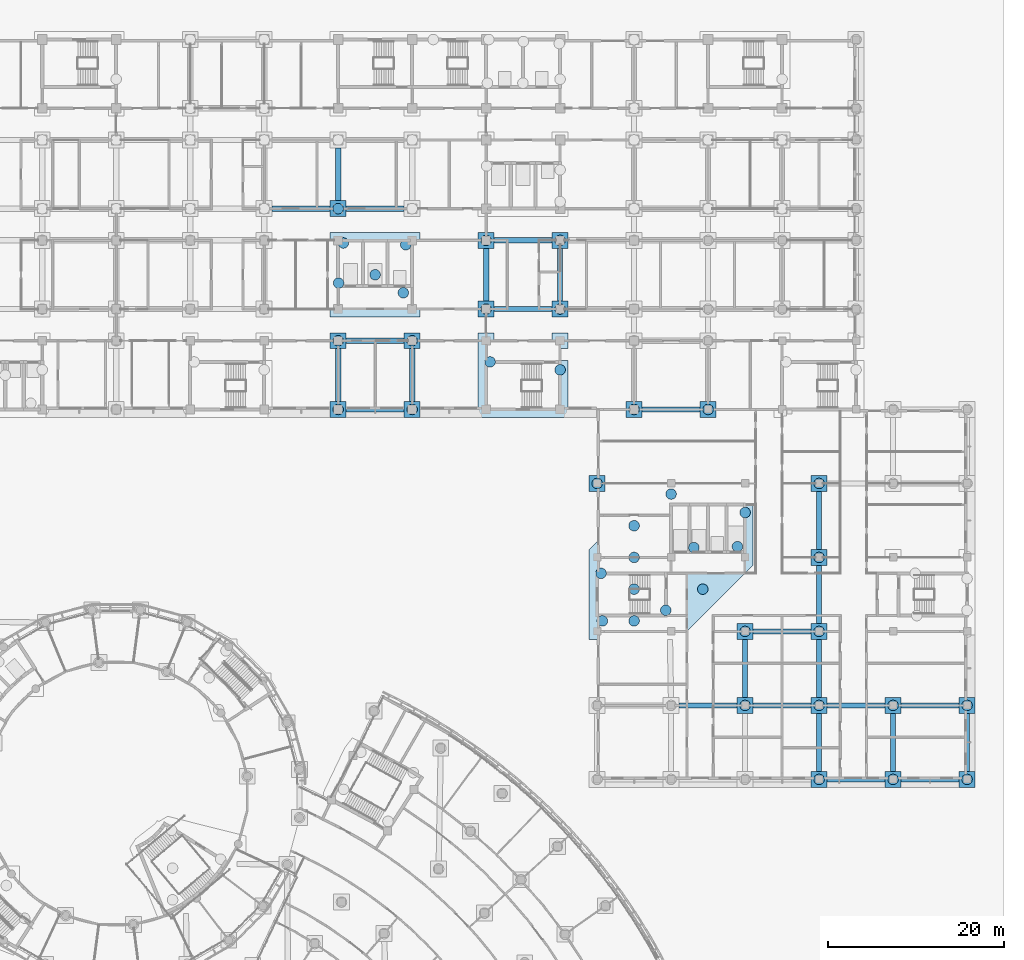
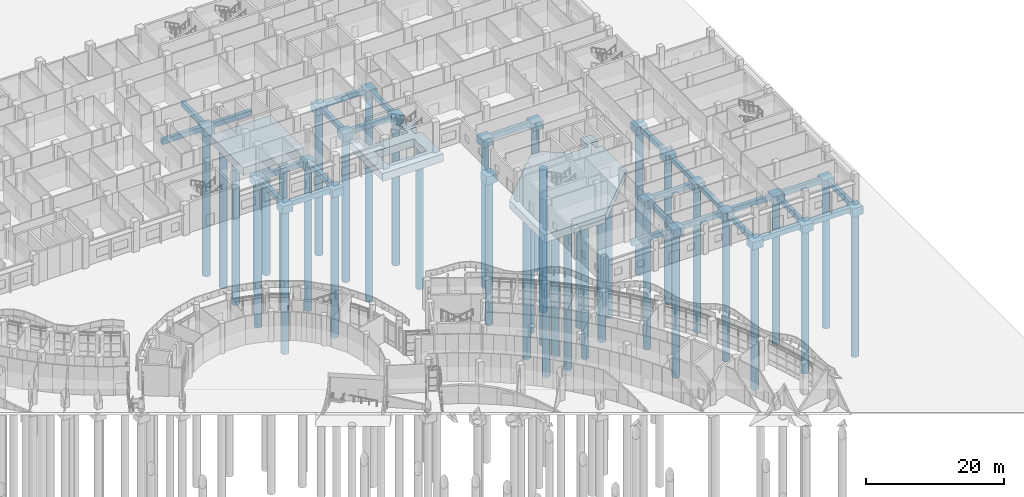
# One storey, part 8 of 146: 52 footings, 42 piles.
"""IFC4 building model written with IfcOpenShell, lengths in metres."""

import ifcopenshell
import ifcopenshell.guid

model = None  # the IFC model being written
_history = None  # IfcOwnerHistory: only IFC2X3 demands one
_inside = {}  # id of a spatial element -> (the spatial element, [elements in it])
_under = {}  # id of a project, library or spatial element -> (it, [spatial elements below it])
_declared = {}  # id of a project -> (the project, [libraries it declares])
_typed = {}  # id of a type object -> (the type object, [elements of that type])
_made_of = {}  # id of a material, layer set ... -> (it, [elements and type objects made of it])


def new_model(schema):
    """Start an empty IFC model of exactly this schema.

    Asked for "IFC4X3", IfcOpenShell would pick the latest addendum, in which some entities
    have other attributes; the version numbers below select the first issue.
    IFC2X3 requires an IfcOwnerHistory on every rooted entity: one is made here for all.
    """
    global model, _history
    if schema == "IFC4X3":
        model = ifcopenshell.file(schema_version=(4, 3, 0, 0))
    else:
        model = ifcopenshell.file(schema=schema)
    _inside.clear()
    _under.clear()
    _declared.clear()
    _typed.clear()
    _made_of.clear()
    _history = None
    if model.schema == "IFC2X3":
        org = make("IfcOrganization", Name="unknown")
        user = make(
            "IfcPersonAndOrganization",
            ThePerson=make("IfcPerson", FamilyName="unknown"),
            TheOrganization=org,
        )
        app = make(
            "IfcApplication",
            ApplicationDeveloper=org,
            Version="unknown",
            ApplicationFullName="unknown",
            ApplicationIdentifier="unknown",
        )
        _history = make(
            "IfcOwnerHistory",
            OwningUser=user,
            OwningApplication=app,
            ChangeAction="ADDED",
            CreationDate=0,
        )
    return model


def make(cls, **values):
    """One entity of the class cls with the attributes given. An attribute that is None is left unset."""
    return model.create_entity(
        cls, **{name: value for name, value in values.items() if value is not None}
    )


def rooted(cls, **values):
    """An entity with a GlobalId (a new one), such as an element, a storey or a relation."""
    return make(cls, GlobalId=ifcopenshell.guid.new(), OwnerHistory=_history, **values)


def si_unit(unit_type, name, prefix=None):
    """IfcSIUnit, for example si_unit("LENGTHUNIT", "METRE", prefix="MILLI")."""
    return make("IfcSIUnit", UnitType=unit_type, Prefix=prefix, Name=name)


def assignment(units):
    """IfcUnitAssignment: the units of a project."""
    return None if units is None else make("IfcUnitAssignment", Units=units)


def point(xyz):
    """IfcCartesianPoint."""
    return None if xyz is None else make("IfcCartesianPoint", Coordinates=xyz)


def direction(xyz):
    """IfcDirection."""
    return None if xyz is None else make("IfcDirection", DirectionRatios=xyz)


def frame(location, z_axis=None, x_axis=None):
    """IfcAxis2Placement3D, a coordinate frame: its origin and axes. An axis left out is left unset."""
    return make(
        "IfcAxis2Placement3D",
        Location=point(location),
        Axis=direction(z_axis),
        RefDirection=direction(x_axis),
    )


def frame_2d(location, x_axis=None):
    """IfcAxis2Placement2D, a coordinate frame in the plane: its origin and x axis."""
    return make(
        "IfcAxis2Placement2D", Location=point(location), RefDirection=direction(x_axis)
    )


def origin():
    """The frame at (0, 0, 0) with its axes left unset."""
    return frame((0.0, 0.0, 0.0))


def origin_2d():
    """The frame at (0, 0) in the plane with its x axis left unset."""
    return frame_2d((0.0, 0.0))


def place(relative_to, where):
    """IfcLocalPlacement: puts the frame where relative to a parent placement (None: the world)."""
    return make(
        "IfcLocalPlacement", PlacementRelTo=relative_to, RelativePlacement=where
    )


def context(
    kind, dimensions, precision=None, world=None, true_north=None, identifier=None
):
    """IfcGeometricRepresentationContext, for example the 3D "Model" context."""
    return make(
        "IfcGeometricRepresentationContext",
        ContextIdentifier=identifier,
        ContextType=kind,
        CoordinateSpaceDimension=dimensions,
        Precision=precision,
        WorldCoordinateSystem=world,
        TrueNorth=true_north,
    )


def subcontext(parent, identifier, kind, view, scale=None):
    """IfcGeometricRepresentationSubContext, for example "Body" below "Model"."""
    return make(
        "IfcGeometricRepresentationSubContext",
        ContextIdentifier=identifier,
        ContextType=kind,
        ParentContext=parent,
        TargetScale=scale,
        TargetView=view,
    )


def project(units=None, contexts=None):
    """IfcProject with its units and contexts."""
    return rooted(
        "IfcProject",
        Name="project",
        RepresentationContexts=contexts,
        UnitsInContext=assignment(units),
    )


def spatial(cls, under=None, at=None, **own):
    """A site, building, storey or space (cls), placed at a placement, below another one or the project."""
    s = rooted(cls, ObjectPlacement=at, **own)
    if under is not None:
        _under.setdefault(under.id(), (under, []))[1].append(s)
    return s


def polyline(points):
    """IfcPolyline through the points."""
    return make("IfcPolyline", Points=[point(p) for p in points])


def profile(cls, at=None, kind="AREA", **sizes):
    """A parametric profile (cls). Its sizes go by their IFC names, for example OverallWidth=200.0."""
    return make(cls, ProfileType=kind, Position=at, **sizes)


def rectangle(**sizes):
    """IfcRectangleProfileDef."""
    return profile("IfcRectangleProfileDef", **sizes)


def circle(**sizes):
    """IfcCircleProfileDef."""
    return profile("IfcCircleProfileDef", **sizes)


def outline(outer, holes=None, kind="AREA"):
    """IfcArbitraryClosedProfileDef: a profile drawn as a closed curve; with holes, ...WithVoids."""
    if holes is None:
        return make("IfcArbitraryClosedProfileDef", ProfileType=kind, OuterCurve=outer)
    return make(
        "IfcArbitraryProfileDefWithVoids",
        ProfileType=kind,
        OuterCurve=outer,
        InnerCurves=holes,
    )


def extrude(swept, where, along, depth):
    """IfcExtrudedAreaSolid: the profile swept, set in the frame where, extruded along a direction by depth."""
    return make(
        "IfcExtrudedAreaSolid",
        SweptArea=swept,
        Position=where,
        ExtrudedDirection=direction(along),
        Depth=depth,
    )


def shape(context_of_items, identifier, shape_type, items):
    """IfcShapeRepresentation: the items that make up one representation, for example the "Body"."""
    return make(
        "IfcShapeRepresentation",
        ContextOfItems=context_of_items,
        RepresentationIdentifier=identifier,
        RepresentationType=shape_type,
        Items=items,
    )


def material(Name=None, Category=None):
    """IfcMaterial."""
    return make("IfcMaterial", Name=Name, Category=Category)


def material_profile(
    of_material, cross_section, Name=None, Category=None, Priority=None
):
    """IfcMaterialProfile: a cross section and its material."""
    return make(
        "IfcMaterialProfile",
        Name=Name,
        Material=of_material,
        Profile=cross_section,
        Priority=Priority,
        Category=Category,
    )


def profile_set(profiles, Name=None, composite=None):
    """IfcMaterialProfileSet."""
    return make(
        "IfcMaterialProfileSet",
        Name=Name,
        MaterialProfiles=profiles,
        CompositeProfile=composite,
    )


def made_of(thing, what):
    """Note that an element or type object is made of a material, layer set ...; save() writes the relation."""
    if what is not None:
        _made_of.setdefault(what.id(), (what, []))[1].append(thing)
    return thing


def type_object(cls, material=None, **own):
    """A type object (cls), such as IfcWallType, which elements share."""
    return made_of(rooted(cls, **own), material)


def element(
    cls,
    number,
    at=None,
    inside=None,
    cuts=None,
    type_object=None,
    material=None,
    context=None,
    identifier="Body",
    shape_type=None,
    held_by="IfcProductDefinitionShape",
    body=None,
    shapes=None,
    **own,
):
    """One element of the class cls, such as IfcWall. Its Tag is "e" and its number.

    at: its placement. inside: the storey or other place that contains it. cuts: it is an
    opening in that element (IfcRelVoidsElement). A single representation is given by context,
    identifier, shape_type and body (its items); several are given by shapes. held_by: the class
    of the entity that holds the representations. save() writes the other relations.
    """
    e = rooted(cls, Tag="e%d" % number, ObjectPlacement=at, **own)
    if body is not None:
        shapes = [shape(context, identifier, shape_type, body)]
    if shapes is not None:
        e.Representation = make(held_by, Representations=shapes)
    if inside is not None:
        _inside.setdefault(inside.id(), (inside, []))[1].append(e)
    if cuts is not None:
        rooted(
            "IfcRelVoidsElement", RelatingBuildingElement=cuts, RelatedOpeningElement=e
        )
    if type_object is not None:
        _typed.setdefault(type_object.id(), (type_object, []))[1].append(e)
    return made_of(e, material)


def aggregate(whole, parts):
    """IfcRelAggregates: a whole, such as a stair, and the parts it consists of."""
    return rooted("IfcRelAggregates", RelatingObject=whole, RelatedObjects=parts)


def save(model, path):
    """Write the relations noted so far, then the file.

    IfcRelAggregates (storeys below a building ...), IfcRelContainedInSpatialStructure (elements
    in a storey), IfcRelDefinesByType, IfcRelAssociatesMaterial and IfcRelDeclares: one each for
    every whole, place, type object, material and project.
    """
    for whole, parts in _under.values():
        aggregate(whole, parts)
    for where, things in _inside.values():
        rooted(
            "IfcRelContainedInSpatialStructure",
            RelatedElements=things,
            RelatingStructure=where,
        )
    for kind, things in _typed.values():
        rooted("IfcRelDefinesByType", RelatedObjects=things, RelatingType=kind)
    for what, things in _made_of.values():
        rooted("IfcRelAssociatesMaterial", RelatedObjects=things, RelatingMaterial=what)
    for by, libraries in _declared.values():
        rooted("IfcRelDeclares", RelatingContext=by, RelatedDefinitions=libraries)
    model.write(path)


model = new_model("IFC4")

# Units and contexts
model_context = context("Model", 3, precision=1e-05, world=origin(), true_north=direction((0.0, 1.0)))
body_context = subcontext(model_context, "Body", "Model", "MODEL_VIEW")
ifc_project = project(units=[si_unit("LENGTHUNIT", "METRE"), si_unit("AREAUNIT", "SQUARE_METRE"), si_unit("VOLUMEUNIT", "CUBIC_METRE"), si_unit("PLANEANGLEUNIT", "RADIAN"), si_unit("MASSUNIT", "GRAM", prefix="KILO")], contexts=[model_context])

# Site, building, storey
site_placement = place(None, origin())
site = spatial("IfcSite", under=ifc_project, at=site_placement, CompositionType="ELEMENT")
building_placement = place(site_placement, origin())
building = spatial("IfcBuilding", under=site, at=building_placement, Name="Bougainvillea Quay General Hospital", CompositionType="ELEMENT")
storey_placement = place(building_placement, origin())
storey = spatial("IfcBuildingStorey", under=building, at=storey_placement, Name="L00", CompositionType="ELEMENT", Elevation=0.0)

# Piles
ifc_material_1 = material(Name="Concrete C40", Category="concrete")
ifc_material_profile_1 = material_profile(ifc_material_1, circle(Radius=0.60009765625, at=origin_2d()))
ifc_profile_set_1 = profile_set([ifc_material_profile_1], Name="Concrete C40")
pile_type = type_object("IfcPileType", Name="BORED PILE D1200 C40", PredefinedType="BORED", material=ifc_profile_set_1)
for number, where, z_axis, x_axis, name in (
    (1, (189.0, 75.60009765625, -1.60009765625), (0.0, 0.0, -1.0), (1.0, 0.0, 0.0), "Bored pile 110-01"),
    (2, (197.39990234375, 75.60009765625, -1.60009765625), (0.0, 0.0, -1.0), (1.0, 0.0, 0.0), "Bored pile 111-01"),
    (3, (205.800048828125, 75.60009765625, -1.60009765625), (0.0, 0.0, -1.0), (1.0, 0.0, 0.0), "Bored pile 112-01"),
    (4, (180.60009765625, 84.0, -1.60009765625), (0.0, 0.0, -1.0), (1.0, 0.0, 0.0), "Bored pile 127-01"),
    (5, (189.0, 84.0, -1.60009765625), (0.0, 0.0, -1.0), (1.0, 0.0, 0.0), "Bored pile 128-01"),
    (6, (197.39990234375, 84.0, -1.60009765625), (0.0, 0.0, -1.0), (1.0, 0.0, 0.0), "Bored pile 129-01"),
    (7, (205.800048828125, 84.0, -1.60009765625), (0.0, 0.0, -1.0), (1.0, 0.0, 0.0), "Bored pile 130-01"),
    (8, (180.60009765625, 92.39990234375, -1.60009765625), (0.0, 0.0, -1.0), (1.0, 0.0, 0.0), "Bored pile 142-01"),
    (9, (189.0, 92.39990234375, -1.60009765625), (0.0, 0.0, -1.0), (1.0, 0.0, 0.0), "Bored pile 143-01"),
    (10, (164.39990234375, 93.60009765625, -1.60009765625), (0.0, 0.0, -1.0), (1.0, 0.0, 0.0), "Bored pile 160-01"),
    (11, (168.0, 93.60009765625, -1.60009765625), (0.0, 0.0, -1.0), (1.0, 0.0, 0.0), "Bored pile 160-02"),
    (12, (171.60009765625, 94.800048828125, -1.60009765625), (0.0, 0.0, -1.0), (1.0, 0.0, 0.0), "Bored pile 160-03"),
    (13, (168.0, 97.199951171875, -1.60009765625), (0.0, 0.0, -1.0), (1.0, 0.0, 0.0), "Bored pile 160-04"),
    (14, (175.800048828125, 97.199951171875, -1.60009765625), (0.0, 0.0, -1.0), (1.0, 0.0, 0.0), "Bored pile 160-05"),
    (15, (164.25, 99.0, -1.60009765625), (0.0, 0.0, -1.0), (1.0, 0.0, 0.0), "Bored pile 160-06"),
    (16, (168.0, 100.800048828125, -1.60009765625), (0.0, 0.0, -1.0), (1.0, 0.0, 0.0), "Bored pile 160-07"),
    (17, (174.78759765625, 101.925048828125, -1.60009765625), (0.0, 0.0, -1.0), (1.0, 0.0, 0.0), "Bored pile 160-08"),
    (18, (179.73583984375, 102.03759765625, -1.60009765625), (0.0, 0.0, -1.0), (1.0, 0.0, 0.0), "Bored pile 160-09"),
    (19, (168.0, 104.39990234375, -1.60009765625), (0.0, 0.0, -1.0), (1.0, 0.0, 0.0), "Bored pile 160-10"),
    (20, (180.60009765625, 105.89990234375, -1.60009765625), (0.0, 0.0, -1.0), (1.0, 0.0, 0.0), "Bored pile 160-11"),
    (21, (172.199951171875, 108.0, -1.60009765625), (0.0, 0.0, -1.0), (1.0, 0.0, 0.0), "Bored pile 160-12"),
    (22, (189.0, 100.800048828125, -1.60009765625), (0.0, 0.0, -1.0), (1.0, 0.0, 0.0), "Bored pile 161-01"),
    (23, (163.800048828125, 109.199951171875, -1.60009765625), (0.0, 0.0, -1.0), (1.0, 0.0, 0.0), "Bored pile 174-01"),
    (24, (189.0, 109.199951171875, -1.60009765625), (0.0, 0.0, -1.0), (1.0, 0.0, 0.0), "Bored pile 175-01"),
    (25, (134.39990234375, 117.60009765625, -1.60009765625), (0.0, 0.0, -1.0), (1.0, 0.0, 0.0), "Bored pile 185-01"),
    (26, (142.800048828125, 117.60009765625, -1.60009765625), (0.0, 0.0, -1.0), (1.0, 0.0, 0.0), "Bored pile 186-01"),
    (27, (168.0, 117.60009765625, -1.60009765625), (0.0, 0.0, -1.0), (1.0, 0.0, 0.0), "Bored pile 187-01"),
    (28, (176.39990234375, 117.60009765625, -1.60009765625), (0.0, 0.0, -1.0), (1.0, 0.0, 0.0), "Bored pile 188-01"),
    (29, (159.60009765625, 122.10009765625, -1.60009765625), (0.0, 0.0, -1.0), (1.0, 0.0, 0.0), "Bored pile 195-01"),
    (30, (151.64990234375, 123.0, -1.60009765625), (0.0, 0.0, -1.0), (1.0, 0.0, 0.0), "Bored pile 195-02"),
    (31, (134.39990234375, 125.39990234375, -1.60009765625), (0.0, 0.0, -1.0), (1.0, 0.0, 0.0), "Bored pile 200-01"),
    (32, (142.800048828125, 125.39990234375, -1.60009765625), (0.0, 0.0, -1.0), (1.0, 0.0, 0.0), "Bored pile 201-01"),
    (33, (151.199951171875, 129.0, -1.60009765625), (0.0, 0.0, -1.0), (1.0, 0.0, 0.0), "Bored pile 213-01"),
    (34, (159.60009765625, 129.0, -1.60009765625), (0.0, 0.0, -1.0), (1.0, 0.0, 0.0), "Bored pile 214-01"),
    (35, (141.800048828125, 130.85009765625, -1.60009765625), (0.0, 0.0, -1.0), (1.0, 0.0, 0.0), "Bored pile 220-01"),
    (36, (134.449951171875, 131.949951171875, -1.60009765625), (0.0, 0.0, -1.0), (1.0, 0.0, 0.0), "Bored pile 220-02"),
    (37, (138.60009765625, 132.89990234375, -1.60009765625), (0.0, 0.0, -1.0), (1.0, 0.0, 0.0), "Bored pile 220-03"),
    (38, (142.078125, 136.300048828125, -1.60009765625), (0.0, 0.0, -1.0), (1.0, 0.0, 0.0), "Bored pile 220-04"),
    (39, (135.0, 136.5, -1.60009765625), (0.0, 0.0, -1.0), (1.0, 0.0, 0.0), "Bored pile 220-05"),
    (40, (151.199951171875, 136.800048828125, -1.60009765625), (0.0, 0.0, -1.0), (1.0, 0.0, 0.0), "Bored pile 230-01"),
    (41, (159.60009765625, 136.800048828125, -1.60009765625), (0.0, 0.0, -1.0), (1.0, 0.0, 0.0), "Bored pile 231-01"),
    (42, (134.39990234375, 140.39990234375, -1.60009765625), (0.0, 0.0, -1.0), (1.0, 0.0, 0.0), "Bored pile 245-01"),
):
    element("IfcPile", number, at=place(storey_placement, frame(where, z_axis=z_axis, x_axis=x_axis)), inside=storey, type_object=pile_type, Name=name, PredefinedType="BORED", context=body_context, shape_type="SweptSolid", body=[
        extrude(circle(Radius=0.60009765625, at=origin_2d()), origin(), (0.0, 0.0, 1.0), 25.39990234375),
    ])

# Footings
ifc_material_2 = material(Name="Concrete C35", Category="concrete")
footing_type_1 = type_object("IfcFootingType", Name="PILE CAP 1P D1200 1800x1800x1400", PredefinedType="PILE_CAP", material=ifc_material_2)
footing_1_placement = place(storey_placement, frame((0.0, 0.0, -1.699951171875)))
element("IfcFooting", 43, at=footing_1_placement, inside=storey, type_object=footing_type_1, Name="Pile cap PC1 110", PredefinedType="PILE_CAP", context=body_context, shape_type="SweptSolid", body=[
    extrude(outline(polyline([(188.10009765625, 74.699951171875), (189.89990234375, 74.699951171875), (189.89990234375, 76.5), (188.10009765625, 76.5), (188.10009765625, 74.699951171875)])), origin(), (0.0, 0.0, 1.0), 1.39990234375),
])
footing_2_placement = place(storey_placement, frame((0.0, 0.0, -1.699951171875)))
element("IfcFooting", 44, at=footing_2_placement, inside=storey, type_object=footing_type_1, Name="Pile cap PC1 111", PredefinedType="PILE_CAP", context=body_context, shape_type="SweptSolid", body=[
    extrude(outline(polyline([(196.5, 74.699951171875), (198.300048828125, 74.699951171875), (198.300048828125, 76.5), (196.5, 76.5), (196.5, 74.699951171875)])), origin(), (0.0, 0.0, 1.0), 1.39990234375),
])
footing_3_placement = place(storey_placement, frame((0.0, 0.0, -1.699951171875)))
element("IfcFooting", 45, at=footing_3_placement, inside=storey, type_object=footing_type_1, Name="Pile cap PC1 112", PredefinedType="PILE_CAP", context=body_context, shape_type="SweptSolid", body=[
    extrude(outline(polyline([(204.89990234375, 74.699951171875), (206.699951171875, 74.699951171875), (206.699951171875, 76.5), (204.89990234375, 76.5), (204.89990234375, 74.699951171875)])), origin(), (0.0, 0.0, 1.0), 1.39990234375),
])
footing_4_placement = place(storey_placement, frame((0.0, 0.0, -1.699951171875)))
element("IfcFooting", 46, at=footing_4_placement, inside=storey, type_object=footing_type_1, Name="Pile cap PC1 127", PredefinedType="PILE_CAP", context=body_context, shape_type="SweptSolid", body=[
    extrude(outline(polyline([(179.699951171875, 83.10009765625), (181.5, 83.10009765625), (181.5, 84.89990234375), (179.699951171875, 84.89990234375), (179.699951171875, 83.10009765625)])), origin(), (0.0, 0.0, 1.0), 1.39990234375),
])
footing_5_placement = place(storey_placement, frame((0.0, 0.0, -1.699951171875)))
element("IfcFooting", 47, at=footing_5_placement, inside=storey, type_object=footing_type_1, Name="Pile cap PC1 128", PredefinedType="PILE_CAP", context=body_context, shape_type="SweptSolid", body=[
    extrude(outline(polyline([(188.10009765625, 83.10009765625), (189.89990234375, 83.10009765625), (189.89990234375, 84.89990234375), (188.10009765625, 84.89990234375), (188.10009765625, 83.10009765625)])), origin(), (0.0, 0.0, 1.0), 1.39990234375),
])
footing_6_placement = place(storey_placement, frame((0.0, 0.0, -1.699951171875)))
element("IfcFooting", 48, at=footing_6_placement, inside=storey, type_object=footing_type_1, Name="Pile cap PC1 129", PredefinedType="PILE_CAP", context=body_context, shape_type="SweptSolid", body=[
    extrude(outline(polyline([(196.5, 83.10009765625), (198.300048828125, 83.10009765625), (198.300048828125, 84.89990234375), (196.5, 84.89990234375), (196.5, 83.10009765625)])), origin(), (0.0, 0.0, 1.0), 1.39990234375),
])
footing_7_placement = place(storey_placement, frame((0.0, 0.0, -1.699951171875)))
element("IfcFooting", 49, at=footing_7_placement, inside=storey, type_object=footing_type_1, Name="Pile cap PC1 130", PredefinedType="PILE_CAP", context=body_context, shape_type="SweptSolid", body=[
    extrude(outline(polyline([(204.89990234375, 83.10009765625), (206.699951171875, 83.10009765625), (206.699951171875, 84.89990234375), (204.89990234375, 84.89990234375), (204.89990234375, 83.10009765625)])), origin(), (0.0, 0.0, 1.0), 1.39990234375),
])
footing_8_placement = place(storey_placement, frame((0.0, 0.0, -1.699951171875)))
element("IfcFooting", 50, at=footing_8_placement, inside=storey, type_object=footing_type_1, Name="Pile cap PC1 142", PredefinedType="PILE_CAP", context=body_context, shape_type="SweptSolid", body=[
    extrude(outline(polyline([(179.699951171875, 91.5), (181.5, 91.5), (181.5, 93.300048828125), (179.699951171875, 93.300048828125), (179.699951171875, 91.5)])), origin(), (0.0, 0.0, 1.0), 1.39990234375),
])
footing_9_placement = place(storey_placement, frame((0.0, 0.0, -1.699951171875)))
element("IfcFooting", 51, at=footing_9_placement, inside=storey, type_object=footing_type_1, Name="Pile cap PC1 143", PredefinedType="PILE_CAP", context=body_context, shape_type="SweptSolid", body=[
    extrude(outline(polyline([(188.10009765625, 91.5), (189.89990234375, 91.5), (189.89990234375, 93.300048828125), (188.10009765625, 93.300048828125), (188.10009765625, 91.5)])), origin(), (0.0, 0.0, 1.0), 1.39990234375),
])
footing_10_placement = place(storey_placement, frame((0.0, 0.0, -1.699951171875)))
element("IfcFooting", 52, at=footing_10_placement, inside=storey, type_object=footing_type_1, Name="Pile cap PC1 161", PredefinedType="PILE_CAP", context=body_context, shape_type="SweptSolid", body=[
    extrude(outline(polyline([(188.10009765625, 99.89990234375), (189.89990234375, 99.89990234375), (189.89990234375, 101.699951171875), (188.10009765625, 101.699951171875), (188.10009765625, 99.89990234375)])), origin(), (0.0, 0.0, 1.0), 1.39990234375),
])
footing_11_placement = place(storey_placement, frame((0.0, 0.0, -1.699951171875)))
element("IfcFooting", 53, at=footing_11_placement, inside=storey, type_object=footing_type_1, Name="Pile cap PC1 174", PredefinedType="PILE_CAP", context=body_context, shape_type="SweptSolid", body=[
    extrude(outline(polyline([(162.89990234375, 108.300048828125), (164.699951171875, 108.300048828125), (164.699951171875, 110.10009765625), (162.89990234375, 110.10009765625), (162.89990234375, 108.300048828125)])), origin(), (0.0, 0.0, 1.0), 1.39990234375),
])
footing_12_placement = place(storey_placement, frame((0.0, 0.0, -1.699951171875)))
element("IfcFooting", 54, at=footing_12_placement, inside=storey, type_object=footing_type_1, Name="Pile cap PC1 175", PredefinedType="PILE_CAP", context=body_context, shape_type="SweptSolid", body=[
    extrude(outline(polyline([(188.10009765625, 108.300048828125), (189.89990234375, 108.300048828125), (189.89990234375, 110.10009765625), (188.10009765625, 110.10009765625), (188.10009765625, 108.300048828125)])), origin(), (0.0, 0.0, 1.0), 1.39990234375),
])
footing_13_placement = place(storey_placement, frame((0.0, 0.0, -1.699951171875)))
element("IfcFooting", 55, at=footing_13_placement, inside=storey, type_object=footing_type_1, Name="Pile cap PC1 185", PredefinedType="PILE_CAP", context=body_context, shape_type="SweptSolid", body=[
    extrude(outline(polyline([(133.5, 116.699951171875), (135.300048828125, 116.699951171875), (135.300048828125, 118.5), (133.5, 118.5), (133.5, 116.699951171875)])), origin(), (0.0, 0.0, 1.0), 1.39990234375),
])
footing_14_placement = place(storey_placement, frame((0.0, 0.0, -1.699951171875)))
element("IfcFooting", 56, at=footing_14_placement, inside=storey, type_object=footing_type_1, Name="Pile cap PC1 186", PredefinedType="PILE_CAP", context=body_context, shape_type="SweptSolid", body=[
    extrude(outline(polyline([(141.89990234375, 116.699951171875), (143.699951171875, 116.699951171875), (143.699951171875, 118.5), (141.89990234375, 118.5), (141.89990234375, 116.699951171875)])), origin(), (0.0, 0.0, 1.0), 1.39990234375),
])
footing_15_placement = place(storey_placement, frame((0.0, 0.0, -1.699951171875)))
element("IfcFooting", 57, at=footing_15_placement, inside=storey, type_object=footing_type_1, Name="Pile cap PC1 187", PredefinedType="PILE_CAP", context=body_context, shape_type="SweptSolid", body=[
    extrude(outline(polyline([(167.10009765625, 116.699951171875), (168.89990234375, 116.699951171875), (168.89990234375, 118.5), (167.10009765625, 118.5), (167.10009765625, 116.699951171875)])), origin(), (0.0, 0.0, 1.0), 1.39990234375),
])
footing_16_placement = place(storey_placement, frame((0.0, 0.0, -1.699951171875)))
element("IfcFooting", 58, at=footing_16_placement, inside=storey, type_object=footing_type_1, Name="Pile cap PC1 188", PredefinedType="PILE_CAP", context=body_context, shape_type="SweptSolid", body=[
    extrude(outline(polyline([(175.5, 116.699951171875), (177.300048828125, 116.699951171875), (177.300048828125, 118.5), (175.5, 118.5), (175.5, 116.699951171875)])), origin(), (0.0, 0.0, 1.0), 1.39990234375),
])
footing_17_placement = place(storey_placement, frame((0.0, 0.0, -1.699951171875)))
element("IfcFooting", 59, at=footing_17_placement, inside=storey, type_object=footing_type_1, Name="Pile cap PC1 200", PredefinedType="PILE_CAP", context=body_context, shape_type="SweptSolid", body=[
    extrude(outline(polyline([(133.5, 124.5), (135.300048828125, 124.5), (135.300048828125, 126.300048828125), (133.5, 126.300048828125), (133.5, 124.5)])), origin(), (0.0, 0.0, 1.0), 1.39990234375),
])
footing_18_placement = place(storey_placement, frame((0.0, 0.0, -1.699951171875)))
element("IfcFooting", 60, at=footing_18_placement, inside=storey, type_object=footing_type_1, Name="Pile cap PC1 201", PredefinedType="PILE_CAP", context=body_context, shape_type="SweptSolid", body=[
    extrude(outline(polyline([(141.89990234375, 124.5), (143.699951171875, 124.5), (143.699951171875, 126.300048828125), (141.89990234375, 126.300048828125), (141.89990234375, 124.5)])), origin(), (0.0, 0.0, 1.0), 1.39990234375),
])
footing_19_placement = place(storey_placement, frame((0.0, 0.0, -1.699951171875)))
element("IfcFooting", 61, at=footing_19_placement, inside=storey, type_object=footing_type_1, Name="Pile cap PC1 213", PredefinedType="PILE_CAP", context=body_context, shape_type="SweptSolid", body=[
    extrude(outline(polyline([(150.300048828125, 128.10009765625), (152.10009765625, 128.10009765625), (152.10009765625, 129.89990234375), (150.300048828125, 129.89990234375), (150.300048828125, 128.10009765625)])), origin(), (0.0, 0.0, 1.0), 1.39990234375),
])
footing_20_placement = place(storey_placement, frame((0.0, 0.0, -1.699951171875)))
element("IfcFooting", 62, at=footing_20_placement, inside=storey, type_object=footing_type_1, Name="Pile cap PC1 214", PredefinedType="PILE_CAP", context=body_context, shape_type="SweptSolid", body=[
    extrude(outline(polyline([(158.699951171875, 128.10009765625), (160.5, 128.10009765625), (160.5, 129.89990234375), (158.699951171875, 129.89990234375), (158.699951171875, 128.10009765625)])), origin(), (0.0, 0.0, 1.0), 1.39990234375),
])
footing_21_placement = place(storey_placement, frame((0.0, 0.0, -1.699951171875)))
element("IfcFooting", 63, at=footing_21_placement, inside=storey, type_object=footing_type_1, Name="Pile cap PC1 230", PredefinedType="PILE_CAP", context=body_context, shape_type="SweptSolid", body=[
    extrude(outline(polyline([(150.300048828125, 135.89990234375), (152.10009765625, 135.89990234375), (152.10009765625, 137.699951171875), (150.300048828125, 137.699951171875), (150.300048828125, 135.89990234375)])), origin(), (0.0, 0.0, 1.0), 1.39990234375),
])
footing_22_placement = place(storey_placement, frame((0.0, 0.0, -1.699951171875)))
element("IfcFooting", 64, at=footing_22_placement, inside=storey, type_object=footing_type_1, Name="Pile cap PC1 231", PredefinedType="PILE_CAP", context=body_context, shape_type="SweptSolid", body=[
    extrude(outline(polyline([(158.699951171875, 135.89990234375), (160.5, 135.89990234375), (160.5, 137.699951171875), (158.699951171875, 137.699951171875), (158.699951171875, 135.89990234375)])), origin(), (0.0, 0.0, 1.0), 1.39990234375),
])
footing_23_placement = place(storey_placement, frame((0.0, 0.0, -1.699951171875)))
element("IfcFooting", 65, at=footing_23_placement, inside=storey, type_object=footing_type_1, Name="Pile cap PC1 245", PredefinedType="PILE_CAP", context=body_context, shape_type="SweptSolid", body=[
    extrude(outline(polyline([(133.5, 139.5), (135.300048828125, 139.5), (135.300048828125, 141.300048828125), (133.5, 141.300048828125), (133.5, 139.5)])), origin(), (0.0, 0.0, 1.0), 1.39990234375),
])
footing_type_2 = type_object("IfcFootingType", Name="PILE CAP 5P D1200 10200x9600x1400", PredefinedType="PILE_CAP", material=ifc_material_2)
footing_24_placement = place(storey_placement, frame((0.0, 0.0, -1.699951171875)))
element("IfcFooting", 66, at=footing_24_placement, inside=storey, type_object=footing_type_2, Name="Pile cap PC19 220", PredefinedType="PILE_CAP", context=body_context, shape_type="SweptSolid", body=[
    extrude(outline(polyline([(143.699951171875, 137.699951171875), (143.699951171875, 128.10009765625), (133.5, 128.10009765625), (133.5, 137.699951171875), (143.699951171875, 137.699951171875)])), origin(), (0.0, 0.0, 1.0), 1.39990234375),
])
footing_type_3 = type_object("IfcFootingType", Name="PILE CAP RAFT 12P D1200 26210", PredefinedType="PILE_CAP", material=ifc_material_2)
footing_25_placement = place(storey_placement, frame((0.0, 0.0, -1.699951171875)))
element("IfcFooting", 67, at=footing_25_placement, inside=storey, type_object=footing_type_3, Name="Pile cap PC16 160", PredefinedType="PILE_CAP", context=body_context, shape_type="SweptSolid", body=[
    extrude(outline(polyline([(179.699951171875, 110.10009765625), (181.5, 110.10009765625), (181.5, 108.300048828125), (180.425048828125, 108.300048828125), (180.425048828125, 106.97509765625), (181.5, 106.97509765625), (181.5, 99.89990234375), (173.10009765625, 91.5), (162.89990234375, 91.5), (162.89990234375, 101.699951171875), (171.300048828125, 110.10009765625), (173.10009765625, 110.10009765625), (176.39990234375, 107.699951171875), (178.5, 107.699951171875), (179.699951171875, 107.699951171875), (179.699951171875, 110.10009765625)])), origin(), (0.0, 0.0, 1.0), 1.39990234375),
])
footing_type_4 = type_object("IfcFootingType", Name="PILE CAP RAFT 2P D1200 5690", PredefinedType="PILE_CAP", material=ifc_material_2)
footing_26_placement = place(storey_placement, frame((0.0, 0.0, -1.699951171875)))
element("IfcFooting", 68, at=footing_26_placement, inside=storey, type_object=footing_type_4, Name="Pile cap PC18 195", PredefinedType="PILE_CAP", context=body_context, shape_type="SweptSolid", body=[
    extrude(outline(polyline([(160.5, 116.699951171875), (150.300048828125, 116.699951171875), (150.300048828125, 126.300048828125), (152.10009765625, 126.300048828125), (152.10009765625, 123.89990234375), (158.699951171875, 123.89990234375), (158.699951171875, 126.300048828125), (160.5, 126.300048828125), (160.5, 124.5), (159.425048828125, 124.5), (159.425048828125, 123.175048828125), (160.5, 123.175048828125), (160.5, 116.699951171875)]), holes=[polyline([(158.699951171875, 122.10009765625), (152.10009765625, 122.10009765625), (152.10009765625, 118.5), (158.699951171875, 118.5), (158.699951171875, 122.10009765625)])]), origin(), (0.0, 0.0, 1.0), 1.39990234375),
])
ifc_material_profile_2 = material_profile(ifc_material_2, rectangle(XDim=0.60009765625, YDim=0.89990234375, at=origin_2d()))
ifc_profile_set_2 = profile_set([ifc_material_profile_2], Name="Concrete C35")
footing_type_5 = type_object("IfcFootingType", Name="RC GROUND BEAM 600x900 C35", PredefinedType="FOOTING_BEAM", material=ifc_profile_set_2)
footing_27_placement = place(storey_placement, frame((0.0, 0.0, -1.199951171875)))
element("IfcFooting", 69, at=footing_27_placement, inside=storey, type_object=footing_type_5, Name="Ground beam 122", PredefinedType="FOOTING_BEAM", context=body_context, shape_type="SweptSolid", body=[
    extrude(outline(polyline([(189.89990234375, 75.89990234375), (196.5, 75.89990234375), (196.5, 75.300048828125), (189.89990234375, 75.300048828125), (189.89990234375, 75.89990234375)])), origin(), (0.0, 0.0, 1.0), 0.89990234375),
])
footing_28_placement = place(storey_placement, frame((0.0, 0.0, -1.199951171875)))
element("IfcFooting", 70, at=footing_28_placement, inside=storey, type_object=footing_type_5, Name="Ground beam 123", PredefinedType="FOOTING_BEAM", context=body_context, shape_type="SweptSolid", body=[
    extrude(outline(polyline([(188.699951171875, 76.5), (188.699951171875, 83.10009765625), (189.300048828125, 83.10009765625), (189.300048828125, 76.5), (188.699951171875, 76.5)])), origin(), (0.0, 0.0, 1.0), 0.89990234375),
])
footing_29_placement = place(storey_placement, frame((0.0, 0.0, -1.199951171875)))
element("IfcFooting", 71, at=footing_29_placement, inside=storey, type_object=footing_type_5, Name="Ground beam 124", PredefinedType="FOOTING_BEAM", context=body_context, shape_type="SweptSolid", body=[
    extrude(outline(polyline([(198.300048828125, 75.89990234375), (204.89990234375, 75.89990234375), (204.89990234375, 75.300048828125), (198.300048828125, 75.300048828125), (198.300048828125, 75.89990234375)])), origin(), (0.0, 0.0, 1.0), 0.89990234375),
])
footing_30_placement = place(storey_placement, frame((0.0, 0.0, -1.199951171875)))
element("IfcFooting", 72, at=footing_30_placement, inside=storey, type_object=footing_type_5, Name="Ground beam 125", PredefinedType="FOOTING_BEAM", context=body_context, shape_type="SweptSolid", body=[
    extrude(outline(polyline([(197.10009765625, 76.5), (197.10009765625, 83.10009765625), (197.699951171875, 83.10009765625), (197.699951171875, 76.5), (197.10009765625, 76.5)])), origin(), (0.0, 0.0, 1.0), 0.89990234375),
])
footing_31_placement = place(storey_placement, frame((0.0, 0.0, -1.199951171875)))
element("IfcFooting", 73, at=footing_31_placement, inside=storey, type_object=footing_type_5, Name="Ground beam 126", PredefinedType="FOOTING_BEAM", context=body_context, shape_type="SweptSolid", body=[
    extrude(outline(polyline([(205.5, 76.5), (205.5, 83.10009765625), (206.10009765625, 83.10009765625), (206.10009765625, 76.5), (205.5, 76.5)])), origin(), (0.0, 0.0, 1.0), 0.89990234375),
])
footing_32_placement = place(storey_placement, frame((0.0, 0.0, -1.199951171875)))
element("IfcFooting", 74, at=footing_32_placement, inside=storey, type_object=footing_type_5, Name="Ground beam 136", PredefinedType="FOOTING_BEAM", context=body_context, shape_type="SweptSolid", body=[
    extrude(outline(polyline([(173.10009765625, 84.300048828125), (179.699951171875, 84.300048828125), (179.699951171875, 83.699951171875), (173.10009765625, 83.699951171875), (173.10009765625, 84.300048828125)])), origin(), (0.0, 0.0, 1.0), 0.89990234375),
])
footing_33_placement = place(storey_placement, frame((0.0, 0.0, -1.199951171875)))
element("IfcFooting", 75, at=footing_33_placement, inside=storey, type_object=footing_type_5, Name="Ground beam 138", PredefinedType="FOOTING_BEAM", context=body_context, shape_type="SweptSolid", body=[
    extrude(outline(polyline([(181.5, 84.300048828125), (188.10009765625, 84.300048828125), (188.10009765625, 83.699951171875), (181.5, 83.699951171875), (181.5, 84.300048828125)])), origin(), (0.0, 0.0, 1.0), 0.89990234375),
])
footing_34_placement = place(storey_placement, frame((0.0, 0.0, -1.199951171875)))
element("IfcFooting", 76, at=footing_34_placement, inside=storey, type_object=footing_type_5, Name="Ground beam 139", PredefinedType="FOOTING_BEAM", context=body_context, shape_type="SweptSolid", body=[
    extrude(outline(polyline([(180.300048828125, 84.89990234375), (180.300048828125, 91.5), (180.89990234375, 91.5), (180.89990234375, 84.89990234375), (180.300048828125, 84.89990234375)])), origin(), (0.0, 0.0, 1.0), 0.89990234375),
])
footing_35_placement = place(storey_placement, frame((0.0, 0.0, -1.199951171875)))
element("IfcFooting", 77, at=footing_35_placement, inside=storey, type_object=footing_type_5, Name="Ground beam 140", PredefinedType="FOOTING_BEAM", context=body_context, shape_type="SweptSolid", body=[
    extrude(outline(polyline([(189.89990234375, 84.300048828125), (196.5, 84.300048828125), (196.5, 83.699951171875), (189.89990234375, 83.699951171875), (189.89990234375, 84.300048828125)])), origin(), (0.0, 0.0, 1.0), 0.89990234375),
])
footing_36_placement = place(storey_placement, frame((0.0, 0.0, -1.199951171875)))
element("IfcFooting", 78, at=footing_36_placement, inside=storey, type_object=footing_type_5, Name="Ground beam 141", PredefinedType="FOOTING_BEAM", context=body_context, shape_type="SweptSolid", body=[
    extrude(outline(polyline([(188.699951171875, 84.89990234375), (188.699951171875, 91.5), (189.300048828125, 91.5), (189.300048828125, 84.89990234375), (188.699951171875, 84.89990234375)])), origin(), (0.0, 0.0, 1.0), 0.89990234375),
])
footing_37_placement = place(storey_placement, frame((0.0, 0.0, -1.199951171875)))
element("IfcFooting", 79, at=footing_37_placement, inside=storey, type_object=footing_type_5, Name="Ground beam 142", PredefinedType="FOOTING_BEAM", context=body_context, shape_type="SweptSolid", body=[
    extrude(outline(polyline([(198.300048828125, 84.300048828125), (204.89990234375, 84.300048828125), (204.89990234375, 83.699951171875), (198.300048828125, 83.699951171875), (198.300048828125, 84.300048828125)])), origin(), (0.0, 0.0, 1.0), 0.89990234375),
])
footing_38_placement = place(storey_placement, frame((0.0, 0.0, -1.199951171875)))
element("IfcFooting", 80, at=footing_38_placement, inside=storey, type_object=footing_type_5, Name="Ground beam 151", PredefinedType="FOOTING_BEAM", context=body_context, shape_type="SweptSolid", body=[
    extrude(outline(polyline([(181.5, 92.699951171875), (188.10009765625, 92.699951171875), (188.10009765625, 92.10009765625), (181.5, 92.10009765625), (181.5, 92.699951171875)])), origin(), (0.0, 0.0, 1.0), 0.89990234375),
])
footing_39_placement = place(storey_placement, frame((0.0, 0.0, -1.199951171875)))
element("IfcFooting", 81, at=footing_39_placement, inside=storey, type_object=footing_type_5, Name="Ground beam 153", PredefinedType="FOOTING_BEAM", context=body_context, shape_type="SweptSolid", body=[
    extrude(outline(polyline([(188.699951171875, 93.300048828125), (188.699951171875, 99.89990234375), (189.300048828125, 99.89990234375), (189.300048828125, 93.300048828125), (188.699951171875, 93.300048828125)])), origin(), (0.0, 0.0, 1.0), 0.89990234375),
])
footing_40_placement = place(storey_placement, frame((0.0, 0.0, -1.199951171875)))
element("IfcFooting", 82, at=footing_40_placement, inside=storey, type_object=footing_type_5, Name="Ground beam 163", PredefinedType="FOOTING_BEAM", context=body_context, shape_type="SweptSolid", body=[
    extrude(outline(polyline([(188.699951171875, 101.699951171875), (188.699951171875, 108.300048828125), (189.300048828125, 108.300048828125), (189.300048828125, 101.699951171875), (188.699951171875, 101.699951171875)])), origin(), (0.0, 0.0, 1.0), 0.89990234375),
])
footing_41_placement = place(storey_placement, frame((0.0, 0.0, -1.199951171875)))
element("IfcFooting", 83, at=footing_41_placement, inside=storey, type_object=footing_type_5, Name="Ground beam 184", PredefinedType="FOOTING_BEAM", context=body_context, shape_type="SweptSolid", body=[
    extrude(outline(polyline([(135.300048828125, 117.89990234375), (141.89990234375, 117.89990234375), (141.89990234375, 117.300048828125), (135.300048828125, 117.300048828125), (135.300048828125, 117.89990234375)])), origin(), (0.0, 0.0, 1.0), 0.89990234375),
])
footing_42_placement = place(storey_placement, frame((0.0, 0.0, -1.199951171875)))
element("IfcFooting", 84, at=footing_42_placement, inside=storey, type_object=footing_type_5, Name="Ground beam 185", PredefinedType="FOOTING_BEAM", context=body_context, shape_type="SweptSolid", body=[
    extrude(outline(polyline([(134.10009765625, 118.5), (134.10009765625, 124.5), (134.699951171875, 124.5), (134.699951171875, 118.5), (134.10009765625, 118.5)])), origin(), (0.0, 0.0, 1.0), 0.89990234375),
])
footing_43_placement = place(storey_placement, frame((0.0, 0.0, -1.199951171875)))
element("IfcFooting", 85, at=footing_43_placement, inside=storey, type_object=footing_type_5, Name="Ground beam 187", PredefinedType="FOOTING_BEAM", context=body_context, shape_type="SweptSolid", body=[
    extrude(outline(polyline([(142.5, 118.5), (142.5, 124.5), (143.10009765625, 124.5), (143.10009765625, 118.5), (142.5, 118.5)])), origin(), (0.0, 0.0, 1.0), 0.89990234375),
])
footing_44_placement = place(storey_placement, frame((0.0, 0.0, -1.199951171875)))
element("IfcFooting", 86, at=footing_44_placement, inside=storey, type_object=footing_type_5, Name="Ground beam 188", PredefinedType="FOOTING_BEAM", context=body_context, shape_type="SweptSolid", body=[
    extrude(outline(polyline([(168.89990234375, 117.89990234375), (175.5, 117.89990234375), (175.5, 117.300048828125), (168.89990234375, 117.300048828125), (168.89990234375, 117.89990234375)])), origin(), (0.0, 0.0, 1.0), 0.89990234375),
])
footing_45_placement = place(storey_placement, frame((0.0, 0.0, -1.199951171875)))
element("IfcFooting", 87, at=footing_45_placement, inside=storey, type_object=footing_type_5, Name="Ground beam 205", PredefinedType="FOOTING_BEAM", context=body_context, shape_type="SweptSolid", body=[
    extrude(outline(polyline([(135.300048828125, 125.699951171875), (141.89990234375, 125.699951171875), (141.89990234375, 125.10009765625), (135.300048828125, 125.10009765625), (135.300048828125, 125.699951171875)])), origin(), (0.0, 0.0, 1.0), 0.89990234375),
])
footing_46_placement = place(storey_placement, frame((0.0, 0.0, -1.199951171875)))
element("IfcFooting", 88, at=footing_46_placement, inside=storey, type_object=footing_type_5, Name="Ground beam 230", PredefinedType="FOOTING_BEAM", context=body_context, shape_type="SweptSolid", body=[
    extrude(outline(polyline([(152.10009765625, 129.300048828125), (158.699951171875, 129.300048828125), (158.699951171875, 128.699951171875), (152.10009765625, 128.699951171875), (152.10009765625, 129.300048828125)])), origin(), (0.0, 0.0, 1.0), 0.89990234375),
])
footing_47_placement = place(storey_placement, frame((0.0, 0.0, -1.199951171875)))
element("IfcFooting", 89, at=footing_47_placement, inside=storey, type_object=footing_type_5, Name="Ground beam 231", PredefinedType="FOOTING_BEAM", context=body_context, shape_type="SweptSolid", body=[
    extrude(outline(polyline([(150.89990234375, 129.89990234375), (150.89990234375, 135.89990234375), (151.5, 135.89990234375), (151.5, 129.89990234375), (150.89990234375, 129.89990234375)])), origin(), (0.0, 0.0, 1.0), 0.89990234375),
])
footing_48_placement = place(storey_placement, frame((0.0, 0.0, -1.199951171875)))
element("IfcFooting", 90, at=footing_48_placement, inside=storey, type_object=footing_type_5, Name="Ground beam 233", PredefinedType="FOOTING_BEAM", context=body_context, shape_type="SweptSolid", body=[
    extrude(outline(polyline([(159.300048828125, 129.89990234375), (159.300048828125, 135.89990234375), (159.89990234375, 135.89990234375), (159.89990234375, 129.89990234375), (159.300048828125, 129.89990234375)])), origin(), (0.0, 0.0, 1.0), 0.89990234375),
])
footing_49_placement = place(storey_placement, frame((0.0, 0.0, -1.199951171875)))
element("IfcFooting", 91, at=footing_49_placement, inside=storey, type_object=footing_type_5, Name="Ground beam 261", PredefinedType="FOOTING_BEAM", context=body_context, shape_type="SweptSolid", body=[
    extrude(outline(polyline([(152.10009765625, 137.10009765625), (158.699951171875, 137.10009765625), (158.699951171875, 136.5), (152.10009765625, 136.5), (152.10009765625, 137.10009765625)])), origin(), (0.0, 0.0, 1.0), 0.89990234375),
])
footing_50_placement = place(storey_placement, frame((0.0, 0.0, -1.199951171875)))
element("IfcFooting", 92, at=footing_50_placement, inside=storey, type_object=footing_type_5, Name="Ground beam 286", PredefinedType="FOOTING_BEAM", context=body_context, shape_type="SweptSolid", body=[
    extrude(outline(polyline([(126.89990234375, 140.699951171875), (133.5, 140.699951171875), (133.5, 140.10009765625), (126.89990234375, 140.10009765625), (126.89990234375, 140.699951171875)])), origin(), (0.0, 0.0, 1.0), 0.89990234375),
])
footing_51_placement = place(storey_placement, frame((0.0, 0.0, -1.199951171875)))
element("IfcFooting", 93, at=footing_51_placement, inside=storey, type_object=footing_type_5, Name="Ground beam 288", PredefinedType="FOOTING_BEAM", context=body_context, shape_type="SweptSolid", body=[
    extrude(outline(polyline([(135.300048828125, 140.699951171875), (141.89990234375, 140.699951171875), (141.89990234375, 140.10009765625), (135.300048828125, 140.10009765625), (135.300048828125, 140.699951171875)])), origin(), (0.0, 0.0, 1.0), 0.89990234375),
])
footing_52_placement = place(storey_placement, frame((0.0, 0.0, -1.199951171875)))
element("IfcFooting", 94, at=footing_52_placement, inside=storey, type_object=footing_type_5, Name="Ground beam 289", PredefinedType="FOOTING_BEAM", context=body_context, shape_type="SweptSolid", body=[
    extrude(outline(polyline([(134.10009765625, 141.300048828125), (134.10009765625, 147.300048828125), (134.699951171875, 147.300048828125), (134.699951171875, 141.300048828125), (134.10009765625, 141.300048828125)])), origin(), (0.0, 0.0, 1.0), 0.89990234375),
])

save(model, "model.ifc")
